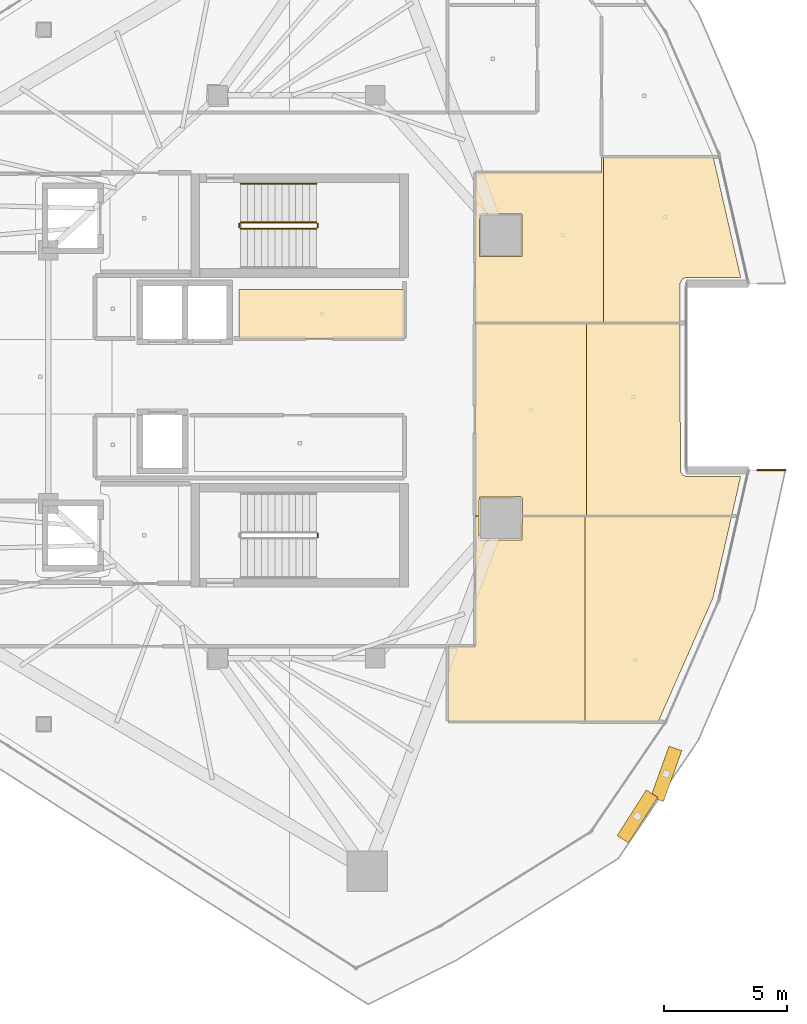
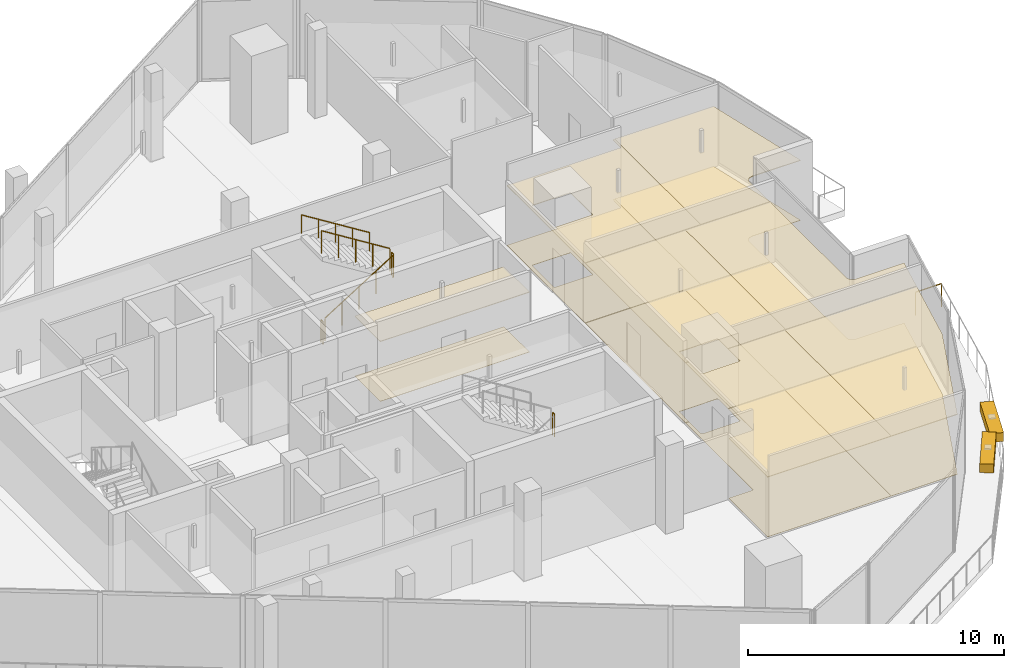
# One storey, part 33 of 34: 14 coverings, 7 railings, 2 shading devices.
"""IFC4 building model written with IfcOpenShell, lengths in metres."""

from ifc_helpers import new_model, si_unit, direction, frame, origin, origin_2d, place, context, subcontext, project, spatial, polyline, rectangle, circle, outline, extrude, material, layer, layer_set, type_object, element, save


model = new_model("IFC4")

# Units and contexts
model_context = context("Model", 3, precision=1e-05, world=origin(), true_north=direction((0.0, 1.0)))
body_context = subcontext(model_context, "Body", "Model", "MODEL_VIEW")
ifc_project = project(units=[si_unit("LENGTHUNIT", "METRE"), si_unit("AREAUNIT", "SQUARE_METRE"), si_unit("VOLUMEUNIT", "CUBIC_METRE"), si_unit("PLANEANGLEUNIT", "RADIAN"), si_unit("MASSUNIT", "GRAM", prefix="KILO")], contexts=[model_context])

# Site, building, storey
site_placement = place(None, origin())
site = spatial("IfcSite", under=ifc_project, at=site_placement, CompositionType="ELEMENT")
building_placement = place(site_placement, origin())
building = spatial("IfcBuilding", under=site, at=building_placement, Name="Qorvath Tower", CompositionType="ELEMENT")
storey_placement = place(building_placement, frame((0.0, 0.0, 268.199951171875)))
storey = spatial("IfcBuildingStorey", under=building, at=storey_placement, Name="L62", CompositionType="ELEMENT", Elevation=268.199951171875)

# Coverings
ifc_material_1 = material(Name="Acoustic mineral fibre ceiling tile", Category="gypsum")
ifc_layer_1 = layer(ifc_material_1, 0.030029296875)
ifc_layer_set_1 = layer_set([ifc_layer_1], Name="COV-CEIL")
covering_type_1 = type_object("IfcCoveringType", Name="COV-CEIL", PredefinedType="CEILING", material=ifc_layer_set_1)
covering_1_placement = place(storey_placement, frame((0.0, 0.0, 2.85009765625)))
element("IfcCovering", 1, at=covering_1_placement, inside=storey, type_object=covering_type_1, Name="L62 Suspended Acoustic Ceiling 003", PredefinedType="CEILING", context=body_context, shape_type="SweptSolid", body=[
    extrude(outline(polyline([(-16.0048828125, 3.56005859375), (-22.739990234375, 3.56005859375), (-22.739990234375, 1.56494140625), (-16.0048828125, 1.56494140625), (-16.0048828125, 3.56005859375)])), origin(), (0.0, 0.0, 1.0), 0.030029296875),
])
covering_2_placement = place(storey_placement, frame((0.0, 0.0, 2.85009765625)))
element("IfcCovering", 2, at=covering_2_placement, inside=storey, type_object=covering_type_1, Name="L62 Suspended Acoustic Ceiling 015", PredefinedType="CEILING", context=body_context, shape_type="SweptSolid", body=[
    extrude(outline(polyline([(-14.237060546875, -14.008544921875), (-8.657958984375, -14.01318359375), (-8.657958984375, -5.671875), (-11.2119140625, -5.671875), (-11.2294921875, -6.625244140625), (-12.921875, -6.642822265625), (-12.981689453125, -6.5830078125), (-12.981689453125, -5.671875), (-13.136962890625, -5.671875), (-13.136962890625, -10.9580078125), (-14.237060546875, -10.962890625), (-14.237060546875, -14.008544921875)])), origin(), (0.0, 0.0, 1.0), 0.030029296875),
])
covering_3_placement = place(storey_placement, frame((0.0, 0.0, 2.85009765625)))
element("IfcCovering", 3, at=covering_3_placement, inside=storey, type_object=covering_type_1, Name="L62 Suspended Acoustic Ceiling 016", PredefinedType="CEILING", context=body_context, shape_type="SweptSolid", body=[
    extrude(outline(polyline([(-8.657958984375, -5.671875), (-8.657958984375, -14.01318359375), (-5.68115234375, -14.015869140625), (-3.459716796875, -8.987548828125), (-2.70263671875, -5.671875), (-8.657958984375, -5.671875)])), origin(), (0.0, 0.0, 1.0), 0.030029296875),
])
covering_4_placement = place(storey_placement, frame((0.0, 0.0, 2.85009765625)))
element("IfcCovering", 4, at=covering_4_placement, inside=storey, type_object=covering_type_1, Name="L62 Suspended Acoustic Ceiling 017", PredefinedType="CEILING", context=body_context, shape_type="SweptSolid", body=[
    extrude(outline(polyline([(-8.613037109375, -5.65380859375), (-8.613037109375, 2.17919921875), (-13.136962890625, 2.17919921875), (-13.136962890625, -5.65380859375), (-12.981689453125, -5.65380859375), (-12.964111328125, -4.890380859375), (-11.271728515625, -4.872802734375), (-11.2119140625, -4.932861328125), (-11.2119140625, -5.65380859375), (-8.613037109375, -5.65380859375)])), origin(), (0.0, 0.0, 1.0), 0.030029296875),
])
covering_5_placement = place(storey_placement, frame((0.0, 0.0, 2.85009765625)))
element("IfcCovering", 5, at=covering_5_placement, inside=storey, type_object=covering_type_1, Name="L62 Suspended Acoustic Ceiling 018", PredefinedType="CEILING", context=body_context, shape_type="SweptSolid", body=[
    extrude(outline(polyline([(-4.70166015625, -3.986572265625), (-4.788818359375, -3.839599609375), (-4.793701171875, 2.17919921875), (-8.613037109375, 2.17919921875), (-8.613037109375, -5.65380859375), (-2.698486328125, -5.65380859375), (-2.331298828125, -4.0458984375), (-4.563232421875, -4.044677734375), (-4.70166015625, -3.986572265625)])), origin(), (0.0, 0.0, 1.0), 0.030029296875),
])
covering_6_placement = place(storey_placement, frame((0.0, 0.0, 2.85009765625)))
element("IfcCovering", 6, at=covering_6_placement, inside=storey, type_object=covering_type_1, Name="L62 Suspended Acoustic Ceiling 019", PredefinedType="CEILING", context=body_context, shape_type="SweptSolid", body=[
    extrude(outline(polyline([(-7.90869140625, 2.197265625), (-7.90869140625, 8.93798828125), (-7.987060546875, 8.93798828125), (-7.991943359375, 8.306884765625), (-13.136962890625, 8.306884765625), (-13.136962890625, 2.197265625), (-7.90869140625, 2.197265625)]), holes=[polyline([(-12.964111328125, 4.890380859375), (-12.964111328125, 6.625244140625), (-11.2294921875, 6.625244140625), (-11.2294921875, 4.890380859375), (-12.964111328125, 4.890380859375)])]), origin(), (0.0, 0.0, 1.0), 0.030029296875),
])
covering_7_placement = place(storey_placement, frame((0.0, 0.0, 2.85009765625)))
element("IfcCovering", 7, at=covering_7_placement, inside=storey, type_object=covering_type_1, Name="L62 Suspended Acoustic Ceiling 020", PredefinedType="CEILING", context=body_context, shape_type="SweptSolid", body=[
    extrude(outline(polyline([(-4.698974609375, 3.98876953125), (-4.538818359375, 4.0458984375), (-2.331298828125, 4.0458984375), (-3.448486328125, 8.93798828125), (-7.90869140625, 8.93798828125), (-7.90869140625, 2.197265625), (-4.793701171875, 2.197265625), (-4.79248046875, 3.8154296875), (-4.698974609375, 3.98876953125)])), origin(), (0.0, 0.0, 1.0), 0.030029296875),
])
ifc_material_2 = material(Name="Low-VOC modular carpet tile", Category="textile")
ifc_layer_2 = layer(ifc_material_2, 0.014892578125)
ifc_layer_set_2 = layer_set([ifc_layer_2], Name="COV-FLOOR-CPT")
covering_type_2 = type_object("IfcCoveringType", Name="COV-FLOOR-CPT", PredefinedType="FLOORING", material=ifc_layer_set_2)
covering_8_placement = place(storey_placement, origin())
element("IfcCovering", 8, at=covering_8_placement, inside=storey, type_object=covering_type_2, Name="L62 Floor Finish 003", PredefinedType="FLOORING", context=body_context, shape_type="SweptSolid", body=[
    extrude(outline(polyline([(-16.0048828125, 3.56005859375), (-22.739990234375, 3.56005859375), (-22.739990234375, 1.56494140625), (-16.0048828125, 1.56494140625), (-16.0048828125, 3.56005859375)])), origin(), (0.0, 0.0, 1.0), 0.01513671875),
])
covering_9_placement = place(storey_placement, origin())
element("IfcCovering", 9, at=covering_9_placement, inside=storey, type_object=covering_type_2, Name="L62 Floor Finish 015", PredefinedType="FLOORING", context=body_context, shape_type="SweptSolid", body=[
    extrude(outline(polyline([(-14.237060546875, -14.008544921875), (-8.657958984375, -14.01318359375), (-8.657958984375, -5.671875), (-11.2119140625, -5.671875), (-11.2294921875, -6.625244140625), (-12.921875, -6.642822265625), (-12.981689453125, -6.5830078125), (-12.981689453125, -5.671875), (-13.136962890625, -5.671875), (-13.136962890625, -10.9580078125), (-14.237060546875, -10.962890625), (-14.237060546875, -14.008544921875)])), origin(), (0.0, 0.0, 1.0), 0.01513671875),
])
covering_10_placement = place(storey_placement, origin())
element("IfcCovering", 10, at=covering_10_placement, inside=storey, type_object=covering_type_2, Name="L62 Floor Finish 016", PredefinedType="FLOORING", context=body_context, shape_type="SweptSolid", body=[
    extrude(outline(polyline([(-8.657958984375, -5.671875), (-8.657958984375, -14.01318359375), (-5.68115234375, -14.015869140625), (-3.459716796875, -8.987548828125), (-2.70263671875, -5.671875), (-8.657958984375, -5.671875)])), origin(), (0.0, 0.0, 1.0), 0.01513671875),
])
covering_11_placement = place(storey_placement, origin())
element("IfcCovering", 11, at=covering_11_placement, inside=storey, type_object=covering_type_2, Name="L62 Floor Finish 017", PredefinedType="FLOORING", context=body_context, shape_type="SweptSolid", body=[
    extrude(outline(polyline([(-8.613037109375, -5.65380859375), (-8.613037109375, 2.17919921875), (-13.136962890625, 2.17919921875), (-13.136962890625, -5.65380859375), (-12.981689453125, -5.65380859375), (-12.964111328125, -4.890380859375), (-11.271728515625, -4.872802734375), (-11.2119140625, -4.932861328125), (-11.2119140625, -5.65380859375), (-8.613037109375, -5.65380859375)])), origin(), (0.0, 0.0, 1.0), 0.01513671875),
])
covering_12_placement = place(storey_placement, origin())
element("IfcCovering", 12, at=covering_12_placement, inside=storey, type_object=covering_type_2, Name="L62 Floor Finish 018", PredefinedType="FLOORING", context=body_context, shape_type="SweptSolid", body=[
    extrude(outline(polyline([(-4.70166015625, -3.986572265625), (-4.788818359375, -3.839599609375), (-4.793701171875, 2.17919921875), (-8.613037109375, 2.17919921875), (-8.613037109375, -5.65380859375), (-2.698486328125, -5.65380859375), (-2.331298828125, -4.0458984375), (-4.563232421875, -4.044677734375), (-4.70166015625, -3.986572265625)])), origin(), (0.0, 0.0, 1.0), 0.01513671875),
])
covering_13_placement = place(storey_placement, origin())
element("IfcCovering", 13, at=covering_13_placement, inside=storey, type_object=covering_type_2, Name="L62 Floor Finish 019", PredefinedType="FLOORING", context=body_context, shape_type="SweptSolid", body=[
    extrude(outline(polyline([(-7.90869140625, 2.197265625), (-7.90869140625, 8.93798828125), (-7.987060546875, 8.93798828125), (-7.991943359375, 8.306884765625), (-13.136962890625, 8.306884765625), (-13.136962890625, 2.197265625), (-7.90869140625, 2.197265625)]), holes=[polyline([(-12.964111328125, 4.890380859375), (-12.964111328125, 6.625244140625), (-11.2294921875, 6.625244140625), (-11.2294921875, 4.890380859375), (-12.964111328125, 4.890380859375)])]), origin(), (0.0, 0.0, 1.0), 0.01513671875),
])
covering_14_placement = place(storey_placement, origin())
element("IfcCovering", 14, at=covering_14_placement, inside=storey, type_object=covering_type_2, Name="L62 Floor Finish 020", PredefinedType="FLOORING", context=body_context, shape_type="SweptSolid", body=[
    extrude(outline(polyline([(-4.698974609375, 3.98876953125), (-4.538818359375, 4.0458984375), (-2.331298828125, 4.0458984375), (-3.448486328125, 8.93798828125), (-7.90869140625, 8.93798828125), (-7.90869140625, 2.197265625), (-4.793701171875, 2.197265625), (-4.79248046875, 3.8154296875), (-4.698974609375, 3.98876953125)])), origin(), (0.0, 0.0, 1.0), 0.01513671875),
])

# Railings
ifc_material_3 = material(Name="Laminated safety glass and stainless steel AISI 316", Category="steel")
railing_type_1 = type_object("IfcRailingType", Name="RL-EXT-GRD", PredefinedType="GUARDRAIL", material=ifc_material_3)
railing_1_placement = place(storey_placement, frame((-1.661865234375, -3.790771484375, 0.0)))
element("IfcRailing", 15, at=railing_1_placement, inside=storey, type_object=railing_type_1, Name="Loggia Perimeter Guardrail L62-1.2", PredefinedType="GUARDRAIL", context=body_context, shape_type="SweptSolid", body=[
    extrude(circle(Radius=0.02392578125, at=origin_2d()), frame((0.0, 0.0, 1.09619140625), z_axis=(1.0, 0.0, 0.0), x_axis=(0.0, 1.0, 0.0)), (0.0, 0.0, 1.0), 1.158935546875),
    extrude(circle(Radius=0.02099609375, at=origin_2d()), origin(), (0.0, 0.0, 1.0), 1.072021484375),
    extrude(circle(Radius=0.02099609375, at=origin_2d()), frame((1.158935546875, 0.0, 0.0)), (0.0, 0.0, 1.0), 1.072021484375),
])
ifc_material_4 = material(Name="Painted galvanised steel", Category="steel")
railing_type_2 = type_object("IfcRailingType", Name="RL-STR-GRD", PredefinedType="GUARDRAIL", material=ifc_material_4)
railing_2_placement = place(storey_placement, frame((-22.669921875, 6.030029296875, 0.175048828125)))
element("IfcRailing", 16, at=railing_2_placement, inside=storey, type_object=railing_type_2, Name="L62 TS1 stair guard 1", PredefinedType="GUARDRAIL", context=body_context, shape_type="SweptSolid", body=[
    extrude(circle(Radius=0.02392578125, at=origin_2d()), frame((0.0, 0.0, 1.076171875), z_axis=(0.847979421464, 0.0, 0.530029150871), x_axis=(0.0, 1.0, 0.0)), (0.0, 0.0, 1.0), 3.632080078125),
    extrude(circle(Radius=0.02099609375, at=origin_2d()), origin(), (0.0, 0.0, 1.0), 1.052001953125),
    extrude(circle(Radius=0.02099609375, at=origin_2d()), frame((0.77001953125, 0.0, 0.481201171875)), (0.0, 0.0, 1.0), 1.052001953125),
    extrude(circle(Radius=0.02099609375, at=origin_2d()), frame((1.5400390625, 0.0, 0.96240234375)), (0.0, 0.0, 1.0), 1.052001953125),
    extrude(circle(Radius=0.02099609375, at=origin_2d()), frame((2.309814453125, 0.0, 1.44384765625)), (0.0, 0.0, 1.0), 1.052001953125),
    extrude(circle(Radius=0.02099609375, at=origin_2d()), frame((3.079833984375, 0.0, 1.925048828125)), (0.0, 0.0, 1.0), 1.052001953125),
])
railing_3_placement = place(storey_placement, frame((-19.5400390625, 6.080078125, 2.10009765625)))
element("IfcRailing", 17, at=railing_3_placement, inside=storey, type_object=railing_type_2, Name="L62 TS1 stair guard 2", PredefinedType="GUARDRAIL", context=body_context, shape_type="SweptSolid", body=[
    extrude(circle(Radius=0.02392578125, at=origin_2d()), frame((0.0, 0.0, 1.076171875), z_axis=(0.0, 1.0, 0.0), x_axis=(-1.0, 0.0, 0.0)), (0.0, 0.0, 1.0), 0.14990234375),
    extrude(circle(Radius=0.02099609375, at=origin_2d()), origin(), (0.0, 0.0, 1.0), 1.052001953125),
    extrude(circle(Radius=0.02099609375, at=origin_2d()), frame((0.0, 0.14990234375, 0.0)), (0.0, 0.0, 1.0), 1.052001953125),
])
railing_4_placement = place(storey_placement, frame((-19.590087890625, 6.280029296875, 2.275146484375)))
element("IfcRailing", 18, at=railing_4_placement, inside=storey, type_object=railing_type_2, Name="L62 TS1 stair guard 3", PredefinedType="GUARDRAIL", context=body_context, shape_type="SweptSolid", body=[
    extrude(circle(Radius=0.02392578125, at=origin_2d()), frame((0.0, 0.0, 1.076171875), z_axis=(-0.848009633417, 0.0, 0.529980812513), x_axis=(0.0, -1.0, 0.0)), (0.0, 0.0, 1.0), 3.6318359375),
    extrude(circle(Radius=0.02099609375, at=origin_2d()), origin(), (0.0, 0.0, 1.0), 1.052001953125),
    extrude(circle(Radius=0.02099609375, at=origin_2d()), frame((-0.77001953125, 0.0, 0.481201171875)), (0.0, 0.0, 1.0), 1.052001953125),
    extrude(circle(Radius=0.02099609375, at=origin_2d()), frame((-1.5400390625, 0.0, 0.96240234375)), (0.0, 0.0, 1.0), 1.052001953125),
    extrude(circle(Radius=0.02099609375, at=origin_2d()), frame((-2.309814453125, 0.0, 1.443603515625)), (0.0, 0.0, 1.0), 1.052001953125),
    extrude(circle(Radius=0.02099609375, at=origin_2d()), frame((-3.079833984375, 0.0, 1.9248046875)), (0.0, 0.0, 1.0), 1.052001953125),
])
for number, where, name in (
    (19, (-22.719970703125, 6.080078125, 0.0), "L62 TS1 stair guard 4"),
    (20, (-19.5400390625, -6.52001953125, 2.10009765625), "L62 TS2 stair guard 2"),
):
    element("IfcRailing", number, at=place(storey_placement, frame(where)), inside=storey, type_object=railing_type_2, Name=name, PredefinedType="GUARDRAIL", context=body_context, shape_type="SweptSolid", body=[
        extrude(circle(Radius=0.02392578125, at=origin_2d()), frame((0.0, 0.0, 1.076171875), z_axis=(0.0, 1.0, 0.0), x_axis=(-1.0, 0.0, 0.0)), (0.0, 0.0, 1.0), 0.14990234375),
        extrude(circle(Radius=0.02099609375, at=origin_2d()), origin(), (0.0, 0.0, 1.0), 1.052001953125),
        extrude(circle(Radius=0.02099609375, at=origin_2d()), frame((0.0, 0.14990234375, 0.0)), (0.0, 0.0, 1.0), 1.052001953125),
    ])
ifc_material_5 = material(Name="Brushed stainless steel AISI 304", Category="steel")
railing_type_3 = type_object("IfcRailingType", Name="RL-STR-HND", PredefinedType="HANDRAIL", material=ifc_material_5)
railing_5_placement = place(storey_placement, frame((-19.590087890625, 7.860107421875, 2.275146484375)))
element("IfcRailing", 21, at=railing_5_placement, inside=storey, type_object=railing_type_3, Name="L62 TS1 stair handrail 2", PredefinedType="HANDRAIL", context=body_context, shape_type="SweptSolid", body=[
    extrude(circle(Radius=0.02392578125, at=origin_2d()), frame((0.0, 0.0, 0.8759765625), z_axis=(-0.848009633417, 0.0, 0.529980812513), x_axis=(0.0, -1.0, 0.0)), (0.0, 0.0, 1.0), 3.6318359375),
    extrude(circle(Radius=0.02099609375, at=origin_2d()), origin(), (0.0, 0.0, 1.0), 0.851806640625),
    extrude(circle(Radius=0.02099609375, at=origin_2d()), frame((-0.77001953125, 0.0, 0.481201171875)), (0.0, 0.0, 1.0), 0.851806640625),
    extrude(circle(Radius=0.02099609375, at=origin_2d()), frame((-1.5400390625, 0.0, 0.96240234375)), (0.0, 0.0, 1.0), 0.851806640625),
    extrude(circle(Radius=0.02099609375, at=origin_2d()), frame((-2.309814453125, 0.0, 1.443603515625)), (0.0, 0.0, 1.0), 0.851806640625),
    extrude(circle(Radius=0.02099609375, at=origin_2d()), frame((-3.079833984375, 0.0, 1.9248046875)), (0.0, 0.0, 1.0), 0.851806640625),
])

# Shading devices
ifc_material_6 = material(Name="Anodised bronze-champagne aluminium", Category="aluminium")
shading_device_type = type_object("IfcShadingDeviceType", Name="SD-LOUVRE", PredefinedType="JALOUSIE", material=ifc_material_6)
for number, where, z_axis, x_axis, name in (
    (22, (-6.53173828125, -17.87890625, 3.490234375), (0.0, 0.0, 1.0), (0.539073643681, 0.842258634084, 0.0), "Sinusoidal Wave Louvre Blade L62-03"),
    (23, (-5.359619140625, -16.148681640625, 3.490234375), (0.0, 0.0, 1.0), (0.338365126362, 0.941014899596, 0.0), "Sinusoidal Wave Louvre Blade L62-04"),
):
    element("IfcShadingDevice", number, at=place(storey_placement, frame(where, z_axis=z_axis, x_axis=x_axis)), inside=storey, type_object=shading_device_type, Name=name, PredefinedType="NOTDEFINED", context=body_context, shape_type="SweptSolid", body=[
        extrude(rectangle(XDim=2.199951171875, YDim=0.550048828125, at=origin_2d()), origin(), (0.0, 0.0, 1.0), 0.419921875),
    ])

save(model, "model.ifc")
